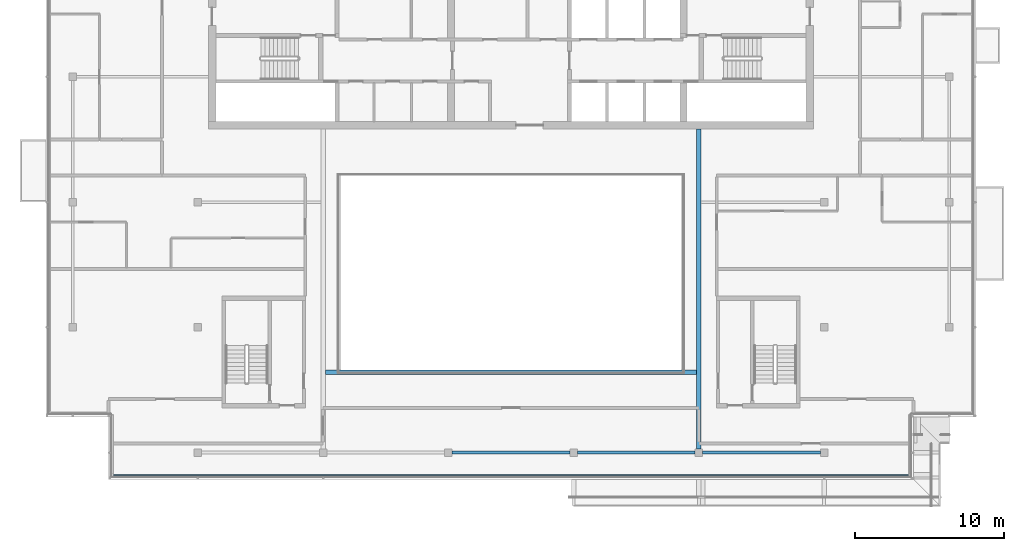
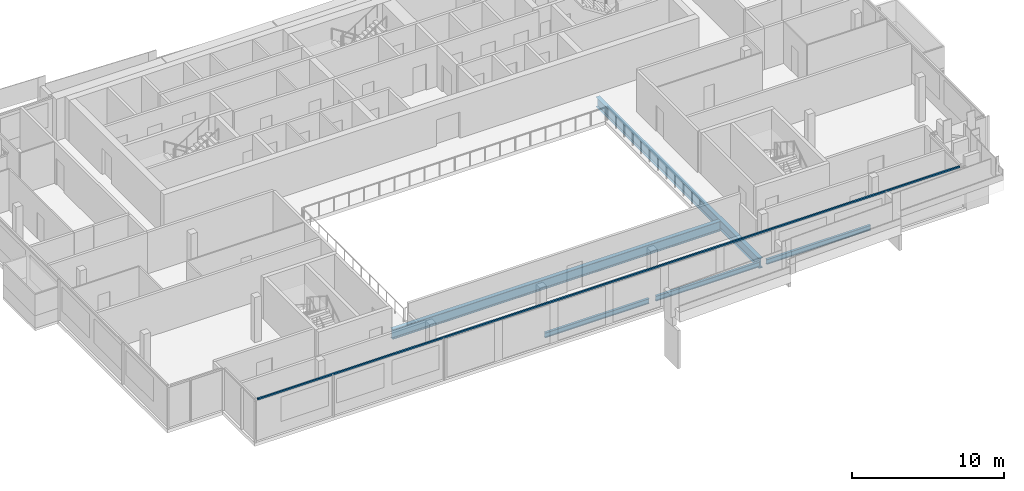
# One storey, part 4 of 21: 5 beams, 1 member, 1 element without a shape of its own.
"""IFC4 building model written with IfcOpenShell, lengths in metres."""

from ifc_helpers import new_model, si_unit, direction, frame, origin, origin_2d, place, context, subcontext, project, spatial, rectangle, i_section, extrude, material, material_profile, profile_set, type_object, element, aggregate, save


model = new_model("IFC4")

# Units and contexts
model_context = context("Model", 3, precision=1e-05, world=origin(), true_north=direction((0.0, 1.0)))
body_context = subcontext(model_context, "Body", "Model", "MODEL_VIEW")
ifc_project = project(units=[si_unit("LENGTHUNIT", "METRE"), si_unit("AREAUNIT", "SQUARE_METRE"), si_unit("VOLUMEUNIT", "CUBIC_METRE"), si_unit("PLANEANGLEUNIT", "RADIAN"), si_unit("MASSUNIT", "GRAM", prefix="KILO")], contexts=[model_context])

# Site, building, storey
site_placement = place(None, origin())
site = spatial("IfcSite", under=ifc_project, at=site_placement, CompositionType="ELEMENT")
building_placement = place(site_placement, origin())
building = spatial("IfcBuilding", under=site, at=building_placement, Name="Saffron Gate Tower", CompositionType="ELEMENT")
storey_placement = place(building_placement, frame((0.0, 0.0, 288.75)))
storey = spatial("IfcBuildingStorey", under=building, at=storey_placement, Name="L70", CompositionType="ELEMENT", Elevation=288.75)

# Beams
ifc_material_1 = material(Name="Structural steel S355", Category="steel")
ifc_material_profile_1 = material_profile(ifc_material_1, i_section(OverallWidth=0.300048828125, OverallDepth=0.7900390625, WebThickness=0.014892578125, FlangeThickness=0.028076171875, FilletRadius=0.030029296875, at=origin_2d()))
ifc_profile_set_1 = profile_set([ifc_material_profile_1], Name="Structural steel S355")
beam_type_1 = type_object("IfcBeamType", Name="B18 HEA 800", PredefinedType="BEAM", material=ifc_profile_set_1)
beam_1_placement = place(storey_placement, frame((100.199951171875, 40.449951171875, -0.675048828125), z_axis=(0.0, 1.0, 0.0), x_axis=(-1.0, 0.0, 0.0)))
element("IfcBeam", 1, at=beam_1_placement, inside=storey, type_object=beam_type_1, Name="B18 ATRIUM GIRDER", PredefinedType="BEAM", context=body_context, shape_type="SweptSolid", body=[
    extrude(i_section(OverallWidth=0.300048828125, OverallDepth=0.7900390625, WebThickness=0.014892578125, FlangeThickness=0.028076171875, FilletRadius=0.030029296875, at=origin_2d()), origin(), (0.0, 0.0, 1.0), 21.449951171875),
])
beam_2_placement = place(storey_placement, frame((75.14990234375, 45.60009765625, -0.675048828125), z_axis=(1.0, 0.0, 0.0), x_axis=(0.0, 1.0, 0.0)))
element("IfcBeam", 2, at=beam_2_placement, inside=storey, type_object=beam_type_1, Name="B18 ATRIUM GIRDER", PredefinedType="BEAM", context=body_context, shape_type="SweptSolid", body=[
    extrude(i_section(OverallWidth=0.300048828125, OverallDepth=0.7900390625, WebThickness=0.014892578125, FlangeThickness=0.028076171875, FilletRadius=0.030029296875, at=origin_2d()), origin(), (0.0, 0.0, 1.0), 24.900146484375),
])
ifc_material_profile_2 = material_profile(ifc_material_1, i_section(OverallWidth=0.179931640625, OverallDepth=0.39990234375, WebThickness=0.008544921875, FlangeThickness=0.013427734375, FilletRadius=0.02099609375, at=origin_2d()))
ifc_profile_set_2 = profile_set([ifc_material_profile_2], Name="Structural steel S355")
beam_type_2 = type_object("IfcBeamType", Name="B5 IPE 400", PredefinedType="SPANDREL", material=ifc_profile_set_2)
beam_3_placement = place(storey_placement, frame((83.64990234375, 40.199951171875, -0.47998046875), z_axis=(1.0, 0.0, 0.0), x_axis=(0.0, 1.0, 0.0)))
element("IfcBeam", 3, at=beam_3_placement, inside=storey, type_object=beam_type_2, Name="B5 SPANDREL BEAM", PredefinedType="SPANDREL", context=body_context, shape_type="SweptSolid", body=[
    extrude(i_section(OverallWidth=0.179931640625, OverallDepth=0.39990234375, WebThickness=0.008544921875, FlangeThickness=0.013427734375, FilletRadius=0.02099609375, at=origin_2d()), origin(), (0.0, 0.0, 1.0), 7.900146484375),
])
beam_4_placement = place(storey_placement, frame((92.050048828125, 40.199951171875, -0.47998046875), z_axis=(1.0, 0.0, 0.0), x_axis=(0.0, 1.0, 0.0)))
element("IfcBeam", 4, at=beam_4_placement, inside=storey, type_object=beam_type_2, Name="B5 SPANDREL BEAM", PredefinedType="SPANDREL", context=body_context, shape_type="SweptSolid", body=[
    extrude(i_section(OverallWidth=0.179931640625, OverallDepth=0.39990234375, WebThickness=0.008544921875, FlangeThickness=0.013427734375, FilletRadius=0.02099609375, at=origin_2d()), origin(), (0.0, 0.0, 1.0), 7.89990234375),
])
beam_5_placement = place(storey_placement, frame((100.449951171875, 40.199951171875, -0.47998046875), z_axis=(1.0, 0.0, 0.0), x_axis=(0.0, 1.0, 0.0)))
element("IfcBeam", 5, at=beam_5_placement, inside=storey, type_object=beam_type_2, Name="B5 SPANDREL BEAM", PredefinedType="SPANDREL", context=body_context, shape_type="SweptSolid", body=[
    extrude(i_section(OverallWidth=0.179931640625, OverallDepth=0.39990234375, WebThickness=0.008544921875, FlangeThickness=0.013427734375, FilletRadius=0.02099609375, at=origin_2d()), origin(), (0.0, 0.0, 1.0), 7.900146484375),
])

# Curtain wall, member
ifc_material_2 = material(Name="Aluminium, bronze anodised", Category="aluminium")
curtain_wall_type = type_object("IfcCurtainWallType", Name="CWS1 curtain wall front facade", PredefinedType="NOTDEFINED", material=ifc_material_2)
curtain_wall_placement = place(storey_placement, origin())
curtain_wall = element("IfcCurtainWall", 6, at=curtain_wall_placement, inside=storey, type_object=curtain_wall_type, Name="CWS1 run 1", PredefinedType="NOTDEFINED")
ifc_material_profile_3 = material_profile(ifc_material_2, rectangle(XDim=0.1201171875, YDim=0.1201171875, at=origin_2d()))
ifc_profile_set_3 = profile_set([ifc_material_profile_3], Name="Aluminium, bronze anodised")
member_type = type_object("IfcMemberType", Name="CWS1 head transom", PredefinedType="USERDEFINED", material=ifc_profile_set_3)
member_placement = place(storey_placement, frame((60.968017578125, 38.64794921875, 3.260009765625), z_axis=(1.0, 0.0, 0.0), x_axis=(0.0, 1.0, 0.0)))
member = element("IfcMember", 7, at=member_placement, type_object=member_type, Name="CWS1 head transom", ObjectType="TRANSOM", PredefinedType="USERDEFINED", context=body_context, shape_type="SweptSolid", body=[
    extrude(rectangle(XDim=0.1201171875, YDim=0.1201171875, at=origin_2d()), origin(), (0.0, 0.0, 1.0), 53.263916015625),
])
aggregate(curtain_wall, [member])

save(model, "model.ifc")
